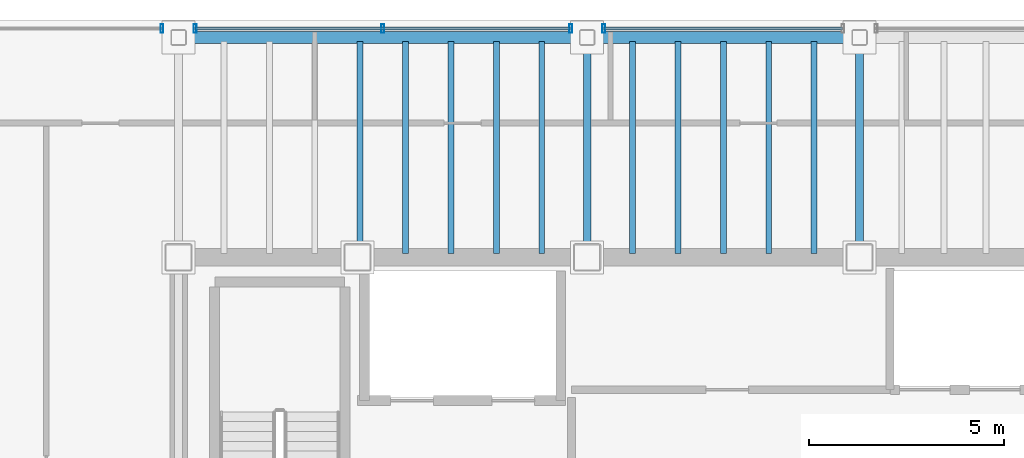
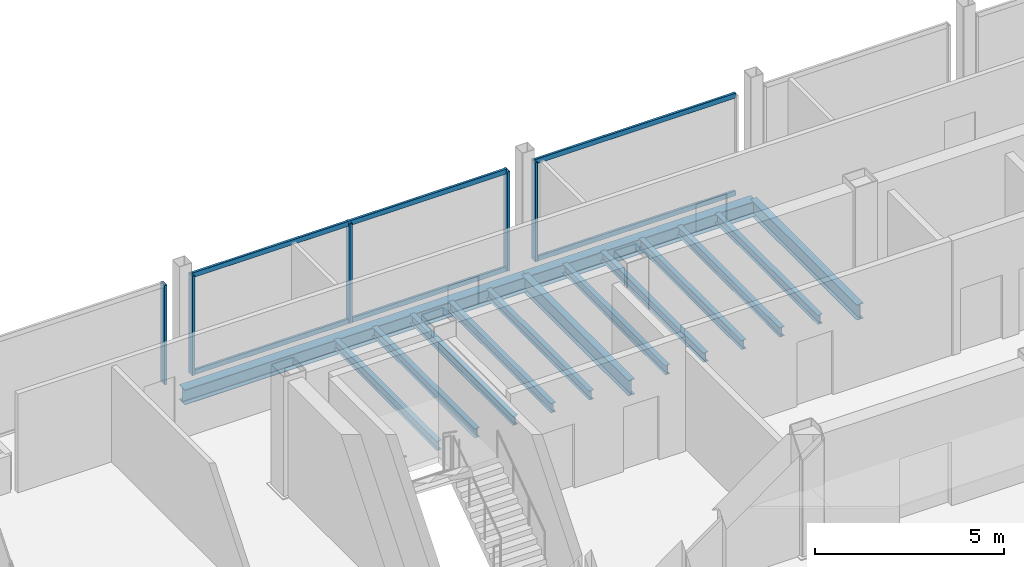
# One storey, part 9 of 17: 14 beams, 9 members, 3 elements without a shape of their own.
"""IFC4 building model written with IfcOpenShell, lengths in metres."""

from ifc_helpers import new_model, si_unit, direction, frame, origin, origin_2d, place, context, subcontext, project, spatial, hollow_rectangle, i_section, extrude, material, material_profile, profile_set, type_object, element, aggregate, save


model = new_model("IFC4")

# Units and contexts
model_context = context("Model", 3, precision=1e-05, world=origin(), true_north=direction((0.0, 1.0)))
body_context = subcontext(model_context, "Body", "Model", "MODEL_VIEW")
ifc_project = project(units=[si_unit("LENGTHUNIT", "METRE"), si_unit("AREAUNIT", "SQUARE_METRE"), si_unit("VOLUMEUNIT", "CUBIC_METRE"), si_unit("PLANEANGLEUNIT", "RADIAN"), si_unit("MASSUNIT", "GRAM", prefix="KILO")], contexts=[model_context])

# Site, building, storey
site_placement = place(None, origin())
site = spatial("IfcSite", under=ifc_project, at=site_placement, CompositionType="ELEMENT")
building_placement = place(site_placement, origin())
building = spatial("IfcBuilding", under=site, at=building_placement, Name="Noeulbin Bourse Tower", CompositionType="ELEMENT")
storey_placement = place(building_placement, frame((0.0, 0.0, 273.5)))
storey = spatial("IfcBuildingStorey", under=building, at=storey_placement, Name="L68", CompositionType="ELEMENT", Elevation=273.5)

# Beams
ifc_material_1 = material(Name="Steel S355", Category="steel")
ifc_material_profile_1 = material_profile(ifc_material_1, i_section(OverallWidth=0.199951171875, OverallDepth=0.5, WebThickness=0.010009765625, FlangeThickness=0.01611328125, FilletRadius=0.02001953125, at=origin_2d()), Name="H-500x200x10x16", Category="LoadBearing")
ifc_profile_set_1 = profile_set([ifc_material_profile_1], Name="Steel S355")
beam_type_1 = type_object("IfcBeamType", Name="BM-GRD-500", PredefinedType="USERDEFINED", material=ifc_profile_set_1)
for number, where, z_axis, x_axis, name in (
    (1, (24.0, 38.300048828125, -0.429931640625), (0.0, 1.0, 0.0), (-1.0, 0.0, 0.0), "Tower Primary Girder NS L68-2.4"),
    (2, (31.0, 38.300048828125, -0.429931640625), (0.0, 1.0, 0.0), (-1.0, 0.0, 0.0), "Tower Primary Girder NS L68-3.4"),
):
    element("IfcBeam", number, at=place(storey_placement, frame(where, z_axis=z_axis, x_axis=x_axis)), inside=storey, type_object=beam_type_1, Name=name, ObjectType="GIRDER", PredefinedType="USERDEFINED", context=body_context, shape_type="SweptSolid", body=[
        extrude(i_section(OverallWidth=0.199951171875, OverallDepth=0.5, WebThickness=0.010009765625, FlangeThickness=0.01611328125, FilletRadius=0.02001953125, at=origin_2d()), origin(), (0.0, 0.0, 1.0), 5.64990234375),
    ])
ifc_material_profile_2 = material_profile(ifc_material_1, i_section(OverallWidth=0.14990234375, OverallDepth=0.300048828125, WebThickness=0.006591796875, FlangeThickness=0.009033203125, FilletRadius=0.012939453125, at=origin_2d()), Name="H-300x150x6.5x9", Category="LoadBearing")
ifc_profile_set_2 = profile_set([ifc_material_profile_2], Name="Steel S355")
beam_type_2 = type_object("IfcBeamType", Name="BM-JST-300", PredefinedType="JOIST", material=ifc_profile_set_2)
for number, where, z_axis, x_axis, name in (
    (3, (18.166748046875, 38.39990234375, -0.330078125), (0.0, 1.0, 0.0), (-1.0, 0.0, 0.0), "Tower Composite Joist L68-08"),
    (4, (19.333251953125, 38.39990234375, -0.330078125), (0.0, 1.0, 0.0), (-1.0, 0.0, 0.0), "Tower Composite Joist L68-10"),
    (5, (20.5, 38.39990234375, -0.330078125), (0.0, 1.0, 0.0), (-1.0, 0.0, 0.0), "Tower Composite Joist L68-12"),
    (6, (21.666748046875, 38.39990234375, -0.330078125), (0.0, 1.0, 0.0), (-1.0, 0.0, 0.0), "Tower Composite Joist L68-14"),
    (7, (22.833251953125, 38.39990234375, -0.330078125), (0.0, 1.0, 0.0), (-1.0, 0.0, 0.0), "Tower Composite Joist L68-16"),
    (8, (25.166748046875, 38.39990234375, -0.330078125), (0.0, 1.0, 0.0), (-1.0, 0.0, 0.0), "Tower Composite Joist L68-18"),
    (9, (26.333251953125, 38.39990234375, -0.330078125), (0.0, 1.0, 0.0), (-1.0, 0.0, 0.0), "Tower Composite Joist L68-20"),
    (10, (27.5, 38.39990234375, -0.330078125), (0.0, 1.0, 0.0), (-1.0, 0.0, 0.0), "Tower Composite Joist L68-22"),
    (11, (28.666748046875, 38.39990234375, -0.330078125), (0.0, 1.0, 0.0), (-1.0, 0.0, 0.0), "Tower Composite Joist L68-24"),
    (12, (29.833251953125, 38.39990234375, -0.330078125), (0.0, 1.0, 0.0), (-1.0, 0.0, 0.0), "Tower Composite Joist L68-26"),
):
    element("IfcBeam", number, at=place(storey_placement, frame(where, z_axis=z_axis, x_axis=x_axis)), inside=storey, type_object=beam_type_2, Name=name, PredefinedType="JOIST", context=body_context, shape_type="SweptSolid", body=[
        extrude(i_section(OverallWidth=0.14990234375, OverallDepth=0.300048828125, WebThickness=0.006591796875, FlangeThickness=0.009033203125, FilletRadius=0.012939453125, at=origin_2d()), origin(), (0.0, 0.0, 1.0), 5.4501953125),
    ])
ifc_material_profile_3 = material_profile(ifc_material_1, i_section(OverallWidth=0.300048828125, OverallDepth=0.488037109375, WebThickness=0.010986328125, FlangeThickness=0.01806640625, FilletRadius=0.02197265625, at=origin_2d()), Name="H-488x300x11x18", Category="LoadBearing")
ifc_profile_set_3 = profile_set([ifc_material_profile_3], Name="Steel S355")
beam_type_3 = type_object("IfcBeamType", Name="BM-SPN-488", PredefinedType="SPANDREL", material=ifc_profile_set_3)
beam_1_placement = place(storey_placement, frame((13.5, 43.949951171875, -0.424072265625), z_axis=(1.0, 0.0, 0.0), x_axis=(0.0, 1.0, 0.0)))
element("IfcBeam", 13, at=beam_1_placement, inside=storey, type_object=beam_type_3, Name="North Spandrel L68-1", PredefinedType="SPANDREL", context=body_context, shape_type="SweptSolid", body=[
    extrude(i_section(OverallWidth=0.300048828125, OverallDepth=0.488037109375, WebThickness=0.010986328125, FlangeThickness=0.01806640625, FilletRadius=0.02197265625, at=origin_2d()), origin(), (0.0, 0.0, 1.0), 10.5),
])
beam_2_placement = place(storey_placement, frame((24.0, 43.949951171875, -0.424072265625), z_axis=(1.0, 0.0, 0.0), x_axis=(0.0, 1.0, 0.0)))
element("IfcBeam", 14, at=beam_2_placement, inside=storey, type_object=beam_type_3, Name="North Spandrel L68-2", PredefinedType="SPANDREL", context=body_context, shape_type="SweptSolid", body=[
    extrude(i_section(OverallWidth=0.300048828125, OverallDepth=0.488037109375, WebThickness=0.010986328125, FlangeThickness=0.01806640625, FilletRadius=0.02197265625, at=origin_2d()), origin(), (0.0, 0.0, 1.0), 7.0),
])

# Curtain wall, member
ifc_material_2 = material(Name="High-Selectivity Low-Iron Glazing", Category="glass")
curtain_wall_type = type_object("IfcCurtainWallType", Name="CW-SYS-4", PredefinedType="NOTDEFINED", material=ifc_material_2)
curtain_wall_1_placement = place(storey_placement, origin())
curtain_wall_1 = element("IfcCurtainWall", 15, at=curtain_wall_1_placement, inside=storey, type_object=curtain_wall_type, Name="Unitised Curtain Wall CW-L68-N-S1", PredefinedType="NOTDEFINED")
ifc_material_3 = material(Name="Anodised Aluminium 6063-T6", Category="aluminium")
ifc_material_profile_4 = material_profile(ifc_material_3, hollow_rectangle(XDim=0.074951171875, YDim=0.219970703125, WallThickness=0.0048828125, InnerFilletRadius=0.00244140625, OuterFilletRadius=0.0048828125, at=origin_2d()), Name="ALU-MULL-75x220x5", Category="LoadBearing")
ifc_profile_set_4 = profile_set([ifc_material_profile_4], Name="Anodised Aluminium 6063-T6")
member_type_1 = type_object("IfcMemberType", Name="CW-SYS-4-MUL", PredefinedType="MULLION", material=ifc_profile_set_4)
member_1_placement = place(storey_placement, frame((13.074951171875, 44.179931640625, -0.02001953125), z_axis=(0.0, 0.0, 1.0), x_axis=(1.0, 0.0, 0.0)))
member_1 = element("IfcMember", 16, at=member_1_placement, type_object=member_type_1, Name="Curtain Wall Mullion CW-L68-N-S1-M01", PredefinedType="MULLION", context=body_context, shape_type="SweptSolid", body=[
    extrude(hollow_rectangle(XDim=0.074951171875, YDim=0.219970703125, WallThickness=0.0048828125, InnerFilletRadius=0.00244140625, OuterFilletRadius=0.0048828125, at=origin_2d()), origin(), (0.0, 0.0, 1.0), 3.219970703125),
])
aggregate(curtain_wall_1, [member_1])

# Curtain wall, members
curtain_wall_2_placement = place(storey_placement, origin())
curtain_wall_2 = element("IfcCurtainWall", 17, at=curtain_wall_2_placement, inside=storey, type_object=curtain_wall_type, Name="Unitised Curtain Wall CW-L68-N-S2", PredefinedType="NOTDEFINED")
member_2_placement = place(storey_placement, frame((13.925048828125, 44.179931640625, -0.02001953125), z_axis=(0.0, 0.0, 1.0), x_axis=(1.0, 0.0, 0.0)))
member_2 = element("IfcMember", 18, at=member_2_placement, type_object=member_type_1, Name="Curtain Wall Mullion CW-L68-N-S2-M00", PredefinedType="MULLION", context=body_context, shape_type="SweptSolid", body=[
    extrude(hollow_rectangle(XDim=0.074951171875, YDim=0.219970703125, WallThickness=0.0048828125, InnerFilletRadius=0.00244140625, OuterFilletRadius=0.0048828125, at=origin_2d()), origin(), (0.0, 0.0, 1.0), 3.219970703125),
])
member_3_placement = place(storey_placement, frame((18.75, 44.179931640625, -0.02001953125), z_axis=(0.0, 0.0, 1.0), x_axis=(1.0, 0.0, 0.0)))
member_3 = element("IfcMember", 19, at=member_3_placement, type_object=member_type_1, Name="Curtain Wall Mullion CW-L68-N-S2-M01", PredefinedType="MULLION", context=body_context, shape_type="SweptSolid", body=[
    extrude(hollow_rectangle(XDim=0.074951171875, YDim=0.219970703125, WallThickness=0.0048828125, InnerFilletRadius=0.00244140625, OuterFilletRadius=0.0048828125, at=origin_2d()), origin(), (0.0, 0.0, 1.0), 3.219970703125),
])
member_4_placement = place(storey_placement, frame((23.574951171875, 44.179931640625, -0.02001953125), z_axis=(0.0, 0.0, 1.0), x_axis=(1.0, 0.0, 0.0)))
member_4 = element("IfcMember", 20, at=member_4_placement, type_object=member_type_1, Name="Curtain Wall Mullion CW-L68-N-S2-M02", PredefinedType="MULLION", context=body_context, shape_type="SweptSolid", body=[
    extrude(hollow_rectangle(XDim=0.074951171875, YDim=0.219970703125, WallThickness=0.0048828125, InnerFilletRadius=0.00244140625, OuterFilletRadius=0.0048828125, at=origin_2d()), origin(), (0.0, 0.0, 1.0), 3.219970703125),
])

# Curtain wall, member
curtain_wall_3_placement = place(storey_placement, origin())
curtain_wall_3 = element("IfcCurtainWall", 21, at=curtain_wall_3_placement, inside=storey, type_object=curtain_wall_type, Name="Unitised Curtain Wall CW-L68-N-S3", PredefinedType="NOTDEFINED")
member_5_placement = place(storey_placement, frame((24.425048828125, 44.179931640625, -0.02001953125), z_axis=(0.0, 0.0, 1.0), x_axis=(1.0, 0.0, 0.0)))
member_5 = element("IfcMember", 22, at=member_5_placement, type_object=member_type_1, Name="Curtain Wall Mullion CW-L68-N-S3-M00", PredefinedType="MULLION", context=body_context, shape_type="SweptSolid", body=[
    extrude(hollow_rectangle(XDim=0.074951171875, YDim=0.219970703125, WallThickness=0.0048828125, InnerFilletRadius=0.00244140625, OuterFilletRadius=0.0048828125, at=origin_2d()), origin(), (0.0, 0.0, 1.0), 3.219970703125),
])

# Member
ifc_material_profile_5 = material_profile(ifc_material_3, hollow_rectangle(XDim=0.074951171875, YDim=0.159912109375, WallThickness=0.0048828125, InnerFilletRadius=0.00244140625, OuterFilletRadius=0.0048828125, at=origin_2d()), Name="ALU-TRAN-75x160x5", Category="LoadBearing")
ifc_profile_set_5 = profile_set([ifc_material_profile_5], Name="Anodised Aluminium 6063-T6")
member_type_2 = type_object("IfcMemberType", Name="CW-SYS-4-TRN", PredefinedType="USERDEFINED", material=ifc_profile_set_5)
member_6_placement = place(storey_placement, frame((13.93505859375, 44.179931640625, 0.010009765625), z_axis=(1.0, 0.0, 0.0), x_axis=(0.0, 1.0, 0.0)))
member_6 = element("IfcMember", 23, at=member_6_placement, type_object=member_type_2, Name="Curtain Wall Transom CW-L68-N-S2-T00", ObjectType="TRANSOM", PredefinedType="USERDEFINED", context=body_context, shape_type="SweptSolid", body=[
    extrude(hollow_rectangle(XDim=0.074951171875, YDim=0.159912109375, WallThickness=0.0048828125, InnerFilletRadius=0.00244140625, OuterFilletRadius=0.0048828125, at=origin_2d()), origin(), (0.0, 0.0, 1.0), 9.6298828125),
])

member_7_placement = place(storey_placement, frame((13.93505859375, 44.179931640625, 3.169921875), z_axis=(1.0, 0.0, 0.0), x_axis=(0.0, 1.0, 0.0)))
member_7 = element("IfcMember", 24, at=member_7_placement, type_object=member_type_2, Name="Curtain Wall Transom CW-L68-N-S2-T01", ObjectType="TRANSOM", PredefinedType="USERDEFINED", context=body_context, shape_type="SweptSolid", body=[
    extrude(hollow_rectangle(XDim=0.074951171875, YDim=0.159912109375, WallThickness=0.0048828125, InnerFilletRadius=0.00244140625, OuterFilletRadius=0.0048828125, at=origin_2d()), origin(), (0.0, 0.0, 1.0), 9.6298828125),
])

aggregate(curtain_wall_2, [member_2, member_3, member_4, member_6, member_7])

member_8_placement = place(storey_placement, frame((24.43505859375, 44.179931640625, 0.010009765625), z_axis=(1.0, 0.0, 0.0), x_axis=(0.0, 1.0, 0.0)))
member_8 = element("IfcMember", 25, at=member_8_placement, type_object=member_type_2, Name="Curtain Wall Transom CW-L68-N-S3-T00", ObjectType="TRANSOM", PredefinedType="USERDEFINED", context=body_context, shape_type="SweptSolid", body=[
    extrude(hollow_rectangle(XDim=0.074951171875, YDim=0.159912109375, WallThickness=0.0048828125, InnerFilletRadius=0.00244140625, OuterFilletRadius=0.0048828125, at=origin_2d()), origin(), (0.0, 0.0, 1.0), 6.1298828125),
])

member_9_placement = place(storey_placement, frame((24.43505859375, 44.179931640625, 3.169921875), z_axis=(1.0, 0.0, 0.0), x_axis=(0.0, 1.0, 0.0)))
member_9 = element("IfcMember", 26, at=member_9_placement, type_object=member_type_2, Name="Curtain Wall Transom CW-L68-N-S3-T01", ObjectType="TRANSOM", PredefinedType="USERDEFINED", context=body_context, shape_type="SweptSolid", body=[
    extrude(hollow_rectangle(XDim=0.074951171875, YDim=0.159912109375, WallThickness=0.0048828125, InnerFilletRadius=0.00244140625, OuterFilletRadius=0.0048828125, at=origin_2d()), origin(), (0.0, 0.0, 1.0), 6.1298828125),
])

aggregate(curtain_wall_3, [member_5, member_8, member_9])

save(model, "model.ifc")
